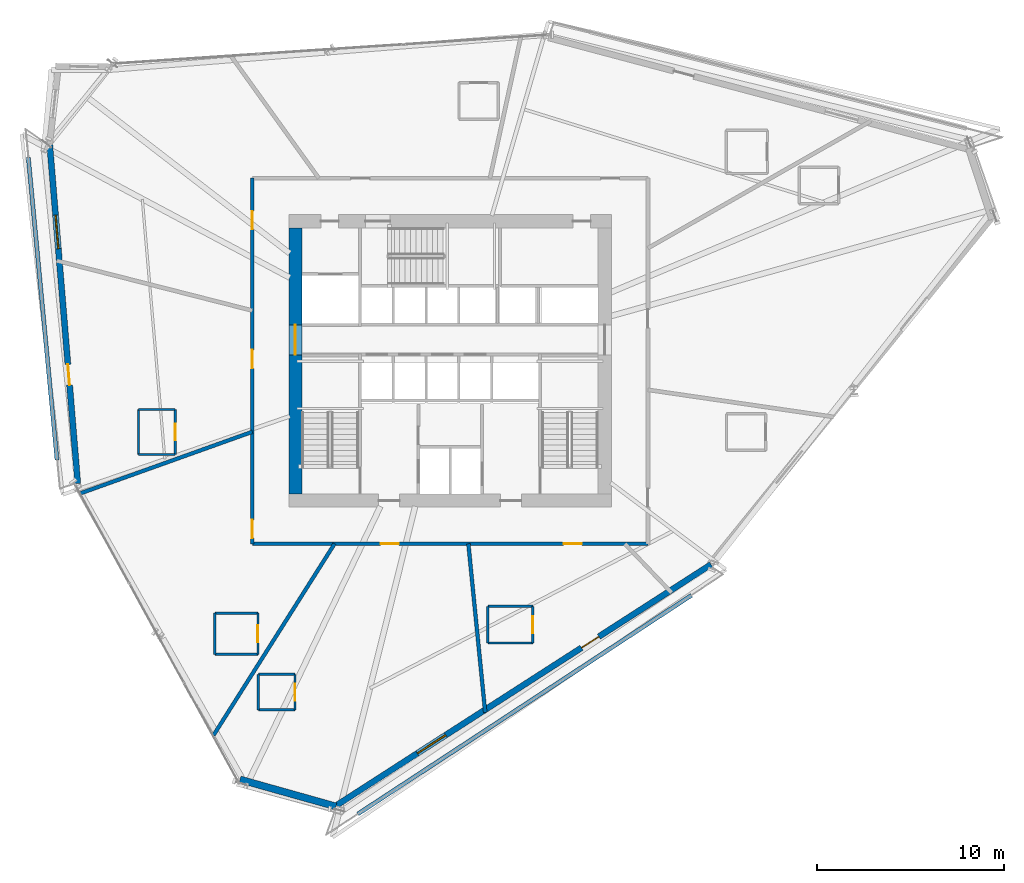
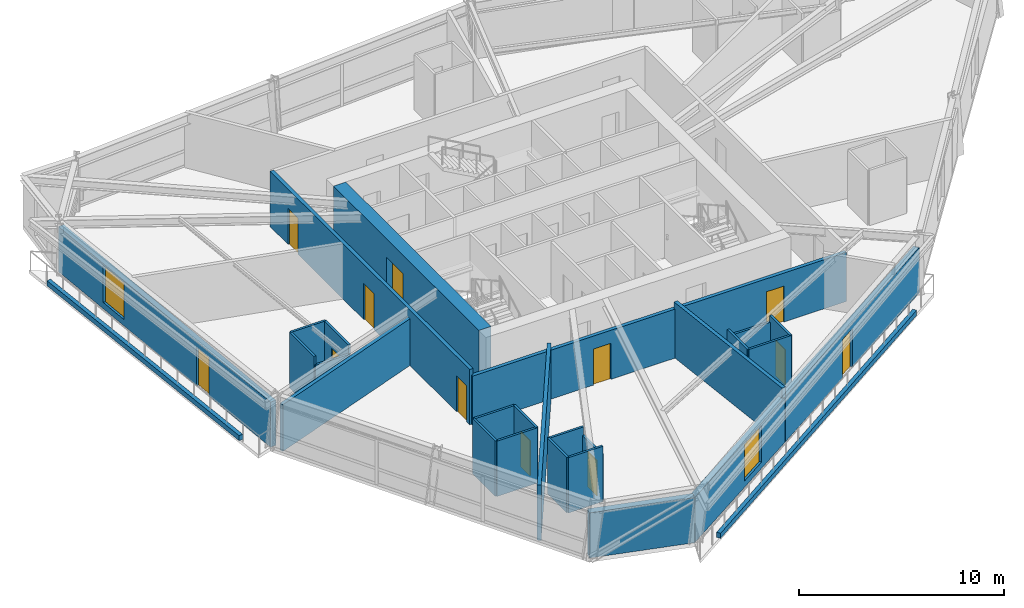
# One storey, part 14 of 21: 27 walls, 12 doors, 2 windows, 14 openings.
"""IFC4 building model written with IfcOpenShell, lengths in metres."""

import ifcopenshell
import ifcopenshell.guid

model = None  # the IFC model being written
_history = None  # IfcOwnerHistory: only IFC2X3 demands one
_inside = {}  # id of a spatial element -> (the spatial element, [elements in it])
_under = {}  # id of a project, library or spatial element -> (it, [spatial elements below it])
_declared = {}  # id of a project -> (the project, [libraries it declares])
_typed = {}  # id of a type object -> (the type object, [elements of that type])
_made_of = {}  # id of a material, layer set ... -> (it, [elements and type objects made of it])


def new_model(schema):
    """Start an empty IFC model of exactly this schema.

    Asked for "IFC4X3", IfcOpenShell would pick the latest addendum, in which some entities
    have other attributes; the version numbers below select the first issue.
    IFC2X3 requires an IfcOwnerHistory on every rooted entity: one is made here for all.
    """
    global model, _history
    if schema == "IFC4X3":
        model = ifcopenshell.file(schema_version=(4, 3, 0, 0))
    else:
        model = ifcopenshell.file(schema=schema)
    _inside.clear()
    _under.clear()
    _declared.clear()
    _typed.clear()
    _made_of.clear()
    _history = None
    if model.schema == "IFC2X3":
        org = make("IfcOrganization", Name="unknown")
        user = make(
            "IfcPersonAndOrganization",
            ThePerson=make("IfcPerson", FamilyName="unknown"),
            TheOrganization=org,
        )
        app = make(
            "IfcApplication",
            ApplicationDeveloper=org,
            Version="unknown",
            ApplicationFullName="unknown",
            ApplicationIdentifier="unknown",
        )
        _history = make(
            "IfcOwnerHistory",
            OwningUser=user,
            OwningApplication=app,
            ChangeAction="ADDED",
            CreationDate=0,
        )
    return model


def make(cls, **values):
    """One entity of the class cls with the attributes given. An attribute that is None is left unset."""
    return model.create_entity(
        cls, **{name: value for name, value in values.items() if value is not None}
    )


def rooted(cls, **values):
    """An entity with a GlobalId (a new one), such as an element, a storey or a relation."""
    return make(cls, GlobalId=ifcopenshell.guid.new(), OwnerHistory=_history, **values)


def si_unit(unit_type, name, prefix=None):
    """IfcSIUnit, for example si_unit("LENGTHUNIT", "METRE", prefix="MILLI")."""
    return make("IfcSIUnit", UnitType=unit_type, Prefix=prefix, Name=name)


def assignment(units):
    """IfcUnitAssignment: the units of a project."""
    return None if units is None else make("IfcUnitAssignment", Units=units)


def point(xyz):
    """IfcCartesianPoint."""
    return None if xyz is None else make("IfcCartesianPoint", Coordinates=xyz)


def direction(xyz):
    """IfcDirection."""
    return None if xyz is None else make("IfcDirection", DirectionRatios=xyz)


def frame(location, z_axis=None, x_axis=None):
    """IfcAxis2Placement3D, a coordinate frame: its origin and axes. An axis left out is left unset."""
    return make(
        "IfcAxis2Placement3D",
        Location=point(location),
        Axis=direction(z_axis),
        RefDirection=direction(x_axis),
    )


def frame_2d(location, x_axis=None):
    """IfcAxis2Placement2D, a coordinate frame in the plane: its origin and x axis."""
    return make(
        "IfcAxis2Placement2D", Location=point(location), RefDirection=direction(x_axis)
    )


def origin():
    """The frame at (0, 0, 0) with its axes left unset."""
    return frame((0.0, 0.0, 0.0))


def place(relative_to, where):
    """IfcLocalPlacement: puts the frame where relative to a parent placement (None: the world)."""
    return make(
        "IfcLocalPlacement", PlacementRelTo=relative_to, RelativePlacement=where
    )


def context(
    kind, dimensions, precision=None, world=None, true_north=None, identifier=None
):
    """IfcGeometricRepresentationContext, for example the 3D "Model" context."""
    return make(
        "IfcGeometricRepresentationContext",
        ContextIdentifier=identifier,
        ContextType=kind,
        CoordinateSpaceDimension=dimensions,
        Precision=precision,
        WorldCoordinateSystem=world,
        TrueNorth=true_north,
    )


def subcontext(parent, identifier, kind, view, scale=None):
    """IfcGeometricRepresentationSubContext, for example "Body" below "Model"."""
    return make(
        "IfcGeometricRepresentationSubContext",
        ContextIdentifier=identifier,
        ContextType=kind,
        ParentContext=parent,
        TargetScale=scale,
        TargetView=view,
    )


def project(units=None, contexts=None):
    """IfcProject with its units and contexts."""
    return rooted(
        "IfcProject",
        Name="project",
        RepresentationContexts=contexts,
        UnitsInContext=assignment(units),
    )


def spatial(cls, under=None, at=None, **own):
    """A site, building, storey or space (cls), placed at a placement, below another one or the project."""
    s = rooted(cls, ObjectPlacement=at, **own)
    if under is not None:
        _under.setdefault(under.id(), (under, []))[1].append(s)
    return s


def profile(cls, at=None, kind="AREA", **sizes):
    """A parametric profile (cls). Its sizes go by their IFC names, for example OverallWidth=200.0."""
    return make(cls, ProfileType=kind, Position=at, **sizes)


def rectangle(**sizes):
    """IfcRectangleProfileDef."""
    return profile("IfcRectangleProfileDef", **sizes)


def extrude(swept, where, along, depth):
    """IfcExtrudedAreaSolid: the profile swept, set in the frame where, extruded along a direction by depth."""
    return make(
        "IfcExtrudedAreaSolid",
        SweptArea=swept,
        Position=where,
        ExtrudedDirection=direction(along),
        Depth=depth,
    )


def shape(context_of_items, identifier, shape_type, items):
    """IfcShapeRepresentation: the items that make up one representation, for example the "Body"."""
    return make(
        "IfcShapeRepresentation",
        ContextOfItems=context_of_items,
        RepresentationIdentifier=identifier,
        RepresentationType=shape_type,
        Items=items,
    )


def source(mapping_origin, context_of_items, identifier, shape_type, items):
    """IfcRepresentationMap: a shape defined once, which mapped items show again and again."""
    return make(
        "IfcRepresentationMap",
        MappingOrigin=mapping_origin,
        MappedRepresentation=shape(context_of_items, identifier, shape_type, items),
    )


def transform(
    local_origin,
    x_axis=None,
    y_axis=None,
    z_axis=None,
    scale=None,
    scale2=None,
    scale3=None,
    uniform=True,
):
    """IfcCartesianTransformationOperator3D, or its non-uniform kind. x_axis, y_axis, z_axis: its Axis1, 2, 3."""
    if uniform:
        return make(
            "IfcCartesianTransformationOperator3D",
            Axis1=direction(x_axis),
            Axis2=direction(y_axis),
            LocalOrigin=point(local_origin),
            Scale=scale,
            Axis3=direction(z_axis),
        )
    return make(
        "IfcCartesianTransformationOperator3DnonUniform",
        Axis1=direction(x_axis),
        Axis2=direction(y_axis),
        LocalOrigin=point(local_origin),
        Scale=scale,
        Axis3=direction(z_axis),
        Scale2=scale2,
        Scale3=scale3,
    )


def mapped(mapping_source, mapping_target):
    """IfcMappedItem: shows the shape of a source again, moved by a transform."""
    return make(
        "IfcMappedItem", MappingSource=mapping_source, MappingTarget=mapping_target
    )


def material(Name=None, Category=None):
    """IfcMaterial."""
    return make("IfcMaterial", Name=Name, Category=Category)


def layer(
    of_material, thickness, ventilated=None, Name=None, Category=None, Priority=None
):
    """IfcMaterialLayer: one layer of a wall or slab, of a material (None: an air gap)."""
    return make(
        "IfcMaterialLayer",
        Material=of_material,
        LayerThickness=thickness,
        IsVentilated=ventilated,
        Name=Name,
        Category=Category,
        Priority=Priority,
    )


def layer_set(layers, Name=None):
    """IfcMaterialLayerSet."""
    return make("IfcMaterialLayerSet", MaterialLayers=layers, LayerSetName=Name)


def made_of(thing, what):
    """Note that an element or type object is made of a material, layer set ...; save() writes the relation."""
    if what is not None:
        _made_of.setdefault(what.id(), (what, []))[1].append(thing)
    return thing


def type_object(cls, material=None, **own):
    """A type object (cls), such as IfcWallType, which elements share."""
    return made_of(rooted(cls, **own), material)


def type_shapes(of_type, sources):
    """Give a type object the sources (RepresentationMaps) that its elements show as mapped items."""
    of_type.RepresentationMaps = sources


def element(
    cls,
    number,
    at=None,
    inside=None,
    cuts=None,
    type_object=None,
    material=None,
    context=None,
    identifier="Body",
    shape_type=None,
    held_by="IfcProductDefinitionShape",
    body=None,
    shapes=None,
    **own,
):
    """One element of the class cls, such as IfcWall. Its Tag is "e" and its number.

    at: its placement. inside: the storey or other place that contains it. cuts: it is an
    opening in that element (IfcRelVoidsElement). A single representation is given by context,
    identifier, shape_type and body (its items); several are given by shapes. held_by: the class
    of the entity that holds the representations. save() writes the other relations.
    """
    e = rooted(cls, Tag="e%d" % number, ObjectPlacement=at, **own)
    if body is not None:
        shapes = [shape(context, identifier, shape_type, body)]
    if shapes is not None:
        e.Representation = make(held_by, Representations=shapes)
    if inside is not None:
        _inside.setdefault(inside.id(), (inside, []))[1].append(e)
    if cuts is not None:
        rooted(
            "IfcRelVoidsElement", RelatingBuildingElement=cuts, RelatedOpeningElement=e
        )
    if type_object is not None:
        _typed.setdefault(type_object.id(), (type_object, []))[1].append(e)
    return made_of(e, material)


def fill(opening, filler):
    """IfcRelFillsElement: the door or window that sits in an opening."""
    return rooted(
        "IfcRelFillsElement",
        RelatingOpeningElement=opening,
        RelatedBuildingElement=filler,
    )


def aggregate(whole, parts):
    """IfcRelAggregates: a whole, such as a stair, and the parts it consists of."""
    return rooted("IfcRelAggregates", RelatingObject=whole, RelatedObjects=parts)


def save(model, path):
    """Write the relations noted so far, then the file.

    IfcRelAggregates (storeys below a building ...), IfcRelContainedInSpatialStructure (elements
    in a storey), IfcRelDefinesByType, IfcRelAssociatesMaterial and IfcRelDeclares: one each for
    every whole, place, type object, material and project.
    """
    for whole, parts in _under.values():
        aggregate(whole, parts)
    for where, things in _inside.values():
        rooted(
            "IfcRelContainedInSpatialStructure",
            RelatedElements=things,
            RelatingStructure=where,
        )
    for kind, things in _typed.values():
        rooted("IfcRelDefinesByType", RelatedObjects=things, RelatingType=kind)
    for what, things in _made_of.values():
        rooted("IfcRelAssociatesMaterial", RelatedObjects=things, RelatingMaterial=what)
    for by, libraries in _declared.values():
        rooted("IfcRelDeclares", RelatingContext=by, RelatedDefinitions=libraries)
    model.write(path)


model = new_model("IFC4")

# Units and contexts
model_context = context("Model", 3, precision=1e-05, world=origin(), true_north=direction((0.0, 1.0)))
body_context = subcontext(model_context, "Body", "Model", "MODEL_VIEW")
ifc_project = project(units=[si_unit("LENGTHUNIT", "METRE"), si_unit("AREAUNIT", "SQUARE_METRE"), si_unit("VOLUMEUNIT", "CUBIC_METRE"), si_unit("PLANEANGLEUNIT", "RADIAN"), si_unit("MASSUNIT", "GRAM", prefix="KILO")], contexts=[model_context])

# Site, building, storey
site_placement = place(None, origin())
site = spatial("IfcSite", under=ifc_project, at=site_placement, CompositionType="ELEMENT")
building_placement = place(site_placement, origin())
building = spatial("IfcBuilding", under=site, at=building_placement, Name="Olszyna Solenne Hotel", CompositionType="ELEMENT")
storey_placement = place(building_placement, frame((0.0, 0.0, 109.25)))
storey = spatial("IfcBuildingStorey", under=building, at=storey_placement, Name="L28", CompositionType="ELEMENT", Elevation=109.25)

# Wall, opening, door
ifc_material_1 = material(Name="Concrete C60/75", Category="concrete")
ifc_layer_1 = layer(ifc_material_1, 0.699951171875, Name="Concrete C60/75")
ifc_layer_set_1 = layer_set([ifc_layer_1], Name="Concrete C60/75")
wall_type_1 = type_object("IfcWallType", Name="WL-CR700", PredefinedType="SHEAR", material=ifc_layer_set_1)
wall_1_placement = place(storey_placement, frame((29.75, 19.5, 0.0), z_axis=(0.0, 0.0, 1.0), x_axis=(0.0, 1.0, 0.0)))
wall_1 = element("IfcWall", 1, at=wall_1_placement, inside=storey, type_object=wall_type_1, Name="Core shear wall WL-CR700 CRW-L28-W", PredefinedType="SHEAR", context=body_context, shape_type="SweptSolid", body=[
    extrude(rectangle(XDim=14.199951171875, YDim=0.699951171875, at=frame_2d((7.10009765625, 0.0))), origin(), (0.0, 0.0, 1.0), 3.300048828125),
])
opening_1_placement = place(wall_1_placement, frame((7.419921875, 0.0, 0.0)))
opening_1 = element("IfcOpeningElement", 2, at=opening_1_placement, cuts=wall_1, Name="Opening LHD-L28-W", PredefinedType="OPENING", context=body_context, shape_type="SweptSolid", body=[
    extrude(rectangle(XDim=1.60009765625, YDim=2.199951171875, at=frame_2d((0.800048828125, 1.10009765625))), frame((0.0, 0.35986328125, 0.0), z_axis=(0.0, -1.0, 0.0), x_axis=(1.0, 0.0, 0.0)), (0.0, 0.0, 1.0), 0.719970703125),
])
ifc_material_2 = material(Name="Timber hardwood", Category="wood")
door_type_1 = type_object("IfcDoorType", Name="DR-CR1", OperationType="DOUBLE_DOOR_SINGLE_SWING", PredefinedType="DOOR", material=ifc_material_2)
shared_shape_1 = source(origin(), body_context, "Body", "SweptSolid", [
    extrude(rectangle(XDim=1.60009765625, YDim=2.199951171875, at=frame_2d((0.800048828125, 1.10009765625))), frame((0.0, 0.02490234375, 0.0), z_axis=(0.0, -1.0, 0.0), x_axis=(1.0, 0.0, 0.0)), (0.0, 0.0, 1.0), 0.050048828125),
])
type_shapes(door_type_1, [shared_shape_1])
door_1_placement = place(opening_1_placement, origin())
door_1 = element("IfcDoor", 3, at=door_1_placement, inside=storey, type_object=door_type_1, Name="Passenger lift lobby West fire door LHD-L28-W", OperationType="DOUBLE_DOOR_SINGLE_SWING", OverallHeight=2.199951171875, OverallWidth=1.60009765625, PredefinedType="DOOR", context=body_context, shape_type="MappedRepresentation", body=[
    mapped(shared_shape_1, transform((0.0, 0.0, 0.0), x_axis=(1.0, 0.0, 0.0), y_axis=(0.0, 1.0, 0.0), z_axis=(0.0, 0.0, 1.0), scale=1.0)),
])
fill(opening_1, door_1)

# Wall, openings, door, window
ifc_material_3 = material(Name="Precast concrete C45/55", Category="concrete")
ifc_layer_2 = layer(ifc_material_3, 0.320068359375, Name="Precast concrete C45/55")
ifc_layer_set_2 = layer_set([ifc_layer_2], Name="Precast concrete C45/55")
wall_type_2 = type_object("IfcWallType", Name="WL-EX320", PredefinedType="SOLIDWALL", material=ifc_layer_set_2)
wall_2_placement = place(storey_placement, frame((51.9169921875, 15.745849609375, 0.0), z_axis=(0.0, 0.0, 1.0), x_axis=(-0.841105279502, -0.540871434626, 0.0)))
wall_2 = element("IfcWall", 4, at=wall_2_placement, inside=storey, type_object=wall_type_2, Name="Exterior terracotta-precast frame wall WL-EX320 EW-L28-01", PredefinedType="SOLIDWALL", context=body_context, shape_type="SweptSolid", body=[
    extrude(rectangle(XDim=23.95263671875, YDim=0.320068359375, at=frame_2d((11.976318359375, 0.0))), origin(), (0.0, 0.0, 1.0), 2.69189453125),
])
opening_2_placement = place(wall_2_placement, frame((7.114990234375, 0.0, 0.0)))
opening_2 = element("IfcOpeningElement", 5, at=opening_2_placement, cuts=wall_2, Name="Opening LDG-L28-3", PredefinedType="OPENING", context=body_context, shape_type="SweptSolid", body=[
    extrude(rectangle(XDim=1.10009765625, YDim=2.300048828125, at=frame_2d((0.550048828125, 1.14990234375))), frame((0.0, 0.169921875, 0.0), z_axis=(0.0, -1.0, 0.0), x_axis=(1.0, 0.0, 0.0)), (0.0, 0.0, 1.0), 0.340087890625),
])
opening_3_placement = place(wall_2_placement, frame((16.824951171875, 0.0, 0.3720703125)))
opening_3 = element("IfcOpeningElement", 6, at=opening_3_placement, cuts=wall_2, Name="Opening WN-L28-154", PredefinedType="OPENING", context=body_context, shape_type="SweptSolid", body=[
    extrude(rectangle(XDim=1.800048828125, YDim=2.199951171875, at=frame_2d((0.89990234375, 1.10009765625))), frame((0.0, 0.169921875, 0.0), z_axis=(0.0, -1.0, 0.0), x_axis=(1.0, 0.0, 0.0)), (0.0, 0.0, 1.0), 0.340087890625),
])
ifc_material_4 = material(Name="Anodised bronze aluminium", Category="aluminium")
door_type_2 = type_object("IfcDoorType", Name="DR-LG1", OperationType="NOTDEFINED", PredefinedType="DOOR", material=ifc_material_4)
shared_shape_2 = source(origin(), body_context, "Body", "SweptSolid", [
    extrude(rectangle(XDim=1.10009765625, YDim=2.300048828125, at=frame_2d((0.550048828125, 1.14990234375))), frame((0.0, 0.02490234375, 0.0), z_axis=(0.0, -1.0, 0.0), x_axis=(1.0, 0.0, 0.0)), (0.0, 0.0, 1.0), 0.050048828125),
])
type_shapes(door_type_2, [shared_shape_2])
door_2_placement = place(opening_2_placement, origin())
door_2 = element("IfcDoor", 7, at=door_2_placement, inside=storey, type_object=door_type_2, Name="Exterior loggia balcony door DR-LG1 LDG-L28-3", OperationType="SINGLE_SWING_RIGHT", OverallHeight=2.300048828125, OverallWidth=1.10009765625, PredefinedType="DOOR", context=body_context, shape_type="MappedRepresentation", body=[
    mapped(shared_shape_2, transform((0.0, 0.0, 0.0), x_axis=(1.0, 0.0, 0.0), y_axis=(0.0, 1.0, 0.0), z_axis=(0.0, 0.0, 1.0), scale=1.0)),
])
fill(opening_2, door_2)
ifc_material_5 = material(Name="Low-E triple glazing", Category="glass")
window_type = type_object("IfcWindowType", Name="WN-HT1", PartitioningType="SINGLE_PANEL", PredefinedType="WINDOW", material=ifc_material_5)
shared_shape_3 = source(origin(), body_context, "Body", "SweptSolid", [
    extrude(rectangle(XDim=1.800048828125, YDim=2.199951171875, at=frame_2d((0.89990234375, 1.10009765625))), frame((0.0, 0.030029296875, 0.0), z_axis=(0.0, -1.0, 0.0), x_axis=(1.0, 0.0, 0.0)), (0.0, 0.0, 1.0), 0.06005859375),
])
type_shapes(window_type, [shared_shape_3])
window_1_placement = place(opening_3_placement, origin())
window_1 = element("IfcWindow", 8, at=window_1_placement, inside=storey, type_object=window_type, Name="Loggia room window WN-HT1 WN-L28-154", OverallHeight=2.199951171875, OverallWidth=1.800048828125, PartitioningType="SINGLE_PANEL", PredefinedType="WINDOW", context=body_context, shape_type="MappedRepresentation", body=[
    mapped(shared_shape_3, transform((0.0, 0.0, 0.0), x_axis=(1.0, 0.0, 0.0), y_axis=(0.0, 1.0, 0.0), z_axis=(0.0, 0.0, 1.0), scale=1.0)),
])
fill(opening_3, window_1)

wall_3_placement = place(storey_placement, frame((18.139404296875, 20.0615234375, 0.0), z_axis=(0.0, 0.0, 1.0), x_axis=(-0.082462696948, 0.996594151905, 0.0)))
wall_3 = element("IfcWall", 9, at=wall_3_placement, inside=storey, type_object=wall_type_2, Name="Exterior terracotta-precast frame wall WL-EX320 EW-L28-04", PredefinedType="SOLIDWALL", context=body_context, shape_type="SweptSolid", body=[
    extrude(rectangle(XDim=18.201904296875, YDim=0.320068359375, at=frame_2d((9.10107421875, 0.0))), origin(), (0.0, 0.0, 1.0), 2.69189453125),
])
opening_4_placement = place(wall_3_placement, frame((5.27490234375, 0.0, 0.0)))
opening_4 = element("IfcOpeningElement", 10, at=opening_4_placement, cuts=wall_3, Name="Opening LDG-L28-2", PredefinedType="OPENING", context=body_context, shape_type="SweptSolid", body=[
    extrude(rectangle(XDim=1.10009765625, YDim=2.300048828125, at=frame_2d((0.550048828125, 1.14990234375))), frame((0.0, 0.169921875, 0.0), z_axis=(0.0, -1.0, 0.0), x_axis=(1.0, 0.0, 0.0)), (0.0, 0.0, 1.0), 0.340087890625),
])
opening_5_placement = place(wall_3_placement, frame((12.569091796875, 0.0, 0.3720703125)))
opening_5 = element("IfcOpeningElement", 11, at=opening_5_placement, cuts=wall_3, Name="Opening WN-L28-155", PredefinedType="OPENING", context=body_context, shape_type="SweptSolid", body=[
    extrude(rectangle(XDim=1.800048828125, YDim=2.199951171875, at=frame_2d((0.89990234375, 1.10009765625))), frame((0.0, 0.169921875, 0.0), z_axis=(0.0, -1.0, 0.0), x_axis=(1.0, 0.0, 0.0)), (0.0, 0.0, 1.0), 0.340087890625),
])
door_3_placement = place(opening_4_placement, origin())
door_3 = element("IfcDoor", 12, at=door_3_placement, inside=storey, type_object=door_type_2, Name="Exterior loggia balcony door DR-LG1 LDG-L28-2", OperationType="SINGLE_SWING_LEFT", OverallHeight=2.300048828125, OverallWidth=1.10009765625, PredefinedType="DOOR", context=body_context, shape_type="MappedRepresentation", body=[
    mapped(shared_shape_2, transform((0.0, 0.0, 0.0), x_axis=(1.0, 0.0, 0.0), y_axis=(0.0, 1.0, 0.0), z_axis=(0.0, 0.0, 1.0), scale=1.0)),
])
fill(opening_4, door_3)
window_2_placement = place(opening_5_placement, origin())
window_2 = element("IfcWindow", 13, at=window_2_placement, inside=storey, type_object=window_type, Name="Loggia room window WN-HT1 WN-L28-155", OverallHeight=2.199951171875, OverallWidth=1.800048828125, PartitioningType="SINGLE_PANEL", PredefinedType="WINDOW", context=body_context, shape_type="MappedRepresentation", body=[
    mapped(shared_shape_3, transform((0.0, 0.0, 0.0), x_axis=(1.0, 0.0, 0.0), y_axis=(0.0, 1.0, 0.0), z_axis=(0.0, 0.0, 1.0), scale=1.0)),
])
fill(opening_5, window_2)

# Walls
ifc_material_6 = material(Name="Terracotta cladding on precast concrete C45/55", Category="masonry")
ifc_layer_3 = layer(ifc_material_6, 0.3798828125, Name="Terracotta cladding on precast concrete C45/55")
ifc_layer_set_3 = layer_set([ifc_layer_3], Name="Terracotta cladding on precast concrete C45/55")
wall_type_3 = type_object("IfcWallType", Name="WL-EX380", PredefinedType="SOLIDWALL", material=ifc_layer_set_3)
wall_4_placement = place(storey_placement, frame((31.908203125, 2.8388671875, 0.0), z_axis=(0.0, 0.0, 1.0), x_axis=(-0.962702562439, 0.270561963835, 0.0)))
element("IfcWall", 14, at=wall_4_placement, inside=storey, type_object=wall_type_3, Name="Exterior terracotta-precast frame wall WL-EX380 EW-L28-02", PredefinedType="SOLIDWALL", context=body_context, shape_type="SweptSolid", body=[
    extrude(rectangle(XDim=5.31396484375, YDim=0.3798828125, at=frame_2d((2.656982421875, 0.0))), origin(), (0.0, 0.0, 1.0), 2.69189453125),
])
ifc_layer_4 = layer(ifc_material_3, 0.219970703125, Name="Precast concrete C45/55")
ifc_layer_set_4 = layer_set([ifc_layer_4], Name="Precast concrete C45/55")
wall_type_4 = type_object("IfcWallType", Name="WL-PR220", PredefinedType="PARAPET", material=ifc_layer_set_4)
wall_5_placement = place(storey_placement, frame((15.5009765625, 37.451416015625, 0.0), z_axis=(0.0, 0.0, 1.0), x_axis=(0.094440121339, -0.995530543721, 0.0)))
element("IfcWall", 15, at=wall_5_placement, inside=storey, type_object=wall_type_4, Name="Loggia balcony precast kerb PR-L28-LG2", PredefinedType="PARAPET", context=body_context, shape_type="SweptSolid", body=[
    extrude(rectangle(XDim=16.206298828125, YDim=0.219970703125, at=frame_2d((8.10302734375, 0.0))), origin(), (0.0, 0.0, 1.0), 0.300048828125),
])
wall_6_placement = place(storey_placement, frame((33.0703125, 2.432861328125, 0.0), z_axis=(0.0, 0.0, 1.0), x_axis=(0.836347057306, 0.548200328106, 0.0)))
element("IfcWall", 16, at=wall_6_placement, inside=storey, type_object=wall_type_4, Name="Loggia balcony precast kerb PR-L28-LG3", PredefinedType="PARAPET", context=body_context, shape_type="SweptSolid", body=[
    extrude(rectangle(XDim=21.28271484375, YDim=0.219970703125, at=frame_2d((10.641357421875, 0.0))), origin(), (0.0, 0.0, 1.0), 0.300048828125),
])

# Wall, opening, door
ifc_material_7 = material(Name="Acoustic gypsum partition", Category="gypsum")
ifc_layer_5 = layer(ifc_material_7, 0.125, Name="Acoustic gypsum partition")
ifc_layer_set_5 = layer_set([ifc_layer_5], Name="Acoustic gypsum partition")
wall_type_5 = type_object("IfcWallType", Name="WL-PT125", PredefinedType="PARTITIONING", material=ifc_layer_set_5)
wall_7_placement = place(storey_placement, frame((27.75, 10.952880859375, 0.0), z_axis=(0.0, 0.0, 1.0), x_axis=(0.0, 1.0, 0.0)))
wall_7 = element("IfcWall", 17, at=wall_7_placement, inside=storey, type_object=wall_type_5, Name="Interior acoustic partition WL-PT125 PW-L28-1626", PredefinedType="PARTITIONING", context=body_context, shape_type="SweptSolid", body=[
    extrude(rectangle(XDim=2.2001953125, YDim=0.125, at=frame_2d((1.10009765625, 0.0))), origin(), (0.0, 0.0, 1.0), 3.300048828125),
])
opening_6_placement = place(wall_7_placement, frame((0.64990234375, 0.0, 0.0)))
opening_6 = element("IfcOpeningElement", 18, at=opening_6_placement, cuts=wall_7, Name="Opening DR-L28-0383", PredefinedType="OPENING", context=body_context, shape_type="SweptSolid", body=[
    extrude(rectangle(XDim=0.89990234375, YDim=2.10009765625, at=frame_2d((0.449951171875, 1.050048828125))), frame((0.0, 0.072509765625, 0.0), z_axis=(0.0, -1.0, 0.0), x_axis=(1.0, 0.0, 0.0)), (0.0, 0.0, 1.0), 0.14501953125),
])
door_type_3 = type_object("IfcDoorType", Name="DR-WC1", OperationType="NOTDEFINED", PredefinedType="DOOR", material=ifc_material_2)
shared_shape_4 = source(origin(), body_context, "Body", "SweptSolid", [
    extrude(rectangle(XDim=0.89990234375, YDim=2.10009765625, at=frame_2d((0.449951171875, 1.050048828125))), frame((0.0, 0.02490234375, 0.0), z_axis=(0.0, -1.0, 0.0), x_axis=(1.0, 0.0, 0.0)), (0.0, 0.0, 1.0), 0.050048828125),
])
type_shapes(door_type_3, [shared_shape_4])
door_4_placement = place(opening_6_placement, origin())
door_4 = element("IfcDoor", 19, at=door_4_placement, inside=storey, type_object=door_type_3, Name="En-Suite Bathroom Door DR-L28-0383", OperationType="SINGLE_SWING_LEFT", OverallHeight=2.10009765625, OverallWidth=0.89990234375, PredefinedType="DOOR", context=body_context, shape_type="MappedRepresentation", body=[
    mapped(shared_shape_4, transform((0.0, 0.0, 0.0), x_axis=(1.0, 0.0, 0.0), y_axis=(0.0, 1.0, 0.0), z_axis=(0.0, 0.0, 1.0), scale=1.0)),
])
fill(opening_6, door_4)

# Walls
wall_8_placement = place(storey_placement, frame((27.75, 13.153076171875, 0.0), z_axis=(0.0, 0.0, 1.0), x_axis=(-1.0, 0.0, 0.0)))
element("IfcWall", 20, at=wall_8_placement, inside=storey, type_object=wall_type_5, Name="Interior acoustic partition WL-PT125 PW-L28-1627", PredefinedType="PARTITIONING", context=body_context, shape_type="SweptSolid", body=[
    extrude(rectangle(XDim=2.300048828125, YDim=0.125, at=frame_2d((1.14990234375, 0.0))), origin(), (0.0, 0.0, 1.0), 3.300048828125),
])
wall_9_placement = place(storey_placement, frame((25.449951171875, 13.153076171875, 0.0), z_axis=(0.0, 0.0, 1.0), x_axis=(0.0, -1.0, 0.0)))
element("IfcWall", 21, at=wall_9_placement, inside=storey, type_object=wall_type_5, Name="Interior acoustic partition WL-PT125 PW-L28-1628", PredefinedType="PARTITIONING", context=body_context, shape_type="SweptSolid", body=[
    extrude(rectangle(XDim=2.2001953125, YDim=0.125, at=frame_2d((1.10009765625, 0.0))), origin(), (0.0, 0.0, 1.0), 3.300048828125),
])
wall_10_placement = place(storey_placement, frame((25.449951171875, 10.952880859375, 0.0), z_axis=(0.0, 0.0, 1.0), x_axis=(1.0, 0.0, 0.0)))
element("IfcWall", 22, at=wall_10_placement, inside=storey, type_object=wall_type_5, Name="Interior acoustic partition WL-PT125 PW-L28-1629", PredefinedType="PARTITIONING", context=body_context, shape_type="SweptSolid", body=[
    extrude(rectangle(XDim=2.300048828125, YDim=0.125, at=frame_2d((1.14990234375, 0.0))), origin(), (0.0, 0.0, 1.0), 3.300048828125),
])

# Wall, opening, door
wall_11_placement = place(storey_placement, frame((29.72509765625, 7.990966796875, 0.0), z_axis=(0.0, 0.0, 1.0), x_axis=(0.0, 1.0, 0.0)))
wall_11 = element("IfcWall", 23, at=wall_11_placement, inside=storey, type_object=wall_type_5, Name="Interior acoustic partition WL-PT125 PW-L28-1630", PredefinedType="PARTITIONING", context=body_context, shape_type="SweptSolid", body=[
    extrude(rectangle(XDim=1.900146484375, YDim=0.125, at=frame_2d((0.9501953125, 0.0))), origin(), (0.0, 0.0, 1.0), 2.794921875),
])
opening_7_placement = place(wall_11_placement, frame((0.5, 0.0, 0.0)))
opening_7 = element("IfcOpeningElement", 24, at=opening_7_placement, cuts=wall_11, Name="Opening DR-L28-0384", PredefinedType="OPENING", context=body_context, shape_type="SweptSolid", body=[
    extrude(rectangle(XDim=0.89990234375, YDim=2.10009765625, at=frame_2d((0.449951171875, 1.050048828125))), frame((0.0, 0.072509765625, 0.0), z_axis=(0.0, -1.0, 0.0), x_axis=(1.0, 0.0, 0.0)), (0.0, 0.0, 1.0), 0.14501953125),
])
door_5_placement = place(opening_7_placement, origin())
door_5 = element("IfcDoor", 25, at=door_5_placement, inside=storey, type_object=door_type_3, Name="En-Suite Bathroom Door DR-L28-0384", OperationType="SINGLE_SWING_LEFT", OverallHeight=2.10009765625, OverallWidth=0.89990234375, PredefinedType="DOOR", context=body_context, shape_type="MappedRepresentation", body=[
    mapped(shared_shape_4, transform((0.0, 0.0, 0.0), x_axis=(1.0, 0.0, 0.0), y_axis=(0.0, 1.0, 0.0), z_axis=(0.0, 0.0, 1.0), scale=1.0)),
])
fill(opening_7, door_5)

# Walls
wall_12_placement = place(storey_placement, frame((29.72509765625, 9.89111328125, 0.0), z_axis=(0.0, 0.0, 1.0), x_axis=(-1.0, 0.0, 0.0)))
element("IfcWall", 26, at=wall_12_placement, inside=storey, type_object=wall_type_5, Name="Interior acoustic partition WL-PT125 PW-L28-1631", PredefinedType="PARTITIONING", context=body_context, shape_type="SweptSolid", body=[
    extrude(rectangle(XDim=1.9501953125, YDim=0.125, at=frame_2d((0.97509765625, 0.0))), origin(), (0.0, 0.0, 1.0), 3.300048828125),
])
wall_13_placement = place(storey_placement, frame((27.77490234375, 9.89111328125, 0.0), z_axis=(0.0, 0.0, 1.0), x_axis=(0.0, -1.0, 0.0)))
element("IfcWall", 27, at=wall_13_placement, inside=storey, type_object=wall_type_5, Name="Interior acoustic partition WL-PT125 PW-L28-1632", PredefinedType="PARTITIONING", context=body_context, shape_type="SweptSolid", body=[
    extrude(rectangle(XDim=1.900146484375, YDim=0.125, at=frame_2d((0.9501953125, 0.0))), origin(), (0.0, 0.0, 1.0), 3.300048828125),
])
wall_14_placement = place(storey_placement, frame((27.77490234375, 7.990966796875, 0.0), z_axis=(0.0, 0.0, 1.0), x_axis=(1.0, 0.0, 0.0)))
element("IfcWall", 28, at=wall_14_placement, inside=storey, type_object=wall_type_5, Name="Interior acoustic partition WL-PT125 PW-L28-1633", PredefinedType="PARTITIONING", context=body_context, shape_type="SweptSolid", body=[
    extrude(rectangle(XDim=1.9501953125, YDim=0.125, at=frame_2d((0.97509765625, 0.0))), origin(), (0.0, 0.0, 1.0), 3.300048828125),
])

# Wall, opening, door
wall_15_placement = place(storey_placement, frame((42.407958984375, 11.56103515625, 0.0), z_axis=(0.0, 0.0, 1.0), x_axis=(0.0, 1.0, 0.0)))
wall_15 = element("IfcWall", 29, at=wall_15_placement, inside=storey, type_object=wall_type_5, Name="Interior acoustic partition WL-PT125 PW-L28-1634", PredefinedType="PARTITIONING", context=body_context, shape_type="SweptSolid", body=[
    extrude(rectangle(XDim=1.949951171875, YDim=0.125, at=frame_2d((0.97509765625, 0.0))), origin(), (0.0, 0.0, 1.0), 3.300048828125),
])
opening_8_placement = place(wall_15_placement, frame((0.52490234375, 0.0, 0.0)))
opening_8 = element("IfcOpeningElement", 30, at=opening_8_placement, cuts=wall_15, Name="Opening DR-L28-0385", PredefinedType="OPENING", context=body_context, shape_type="SweptSolid", body=[
    extrude(rectangle(XDim=0.89990234375, YDim=2.10009765625, at=frame_2d((0.449951171875, 1.050048828125))), frame((0.0, 0.072509765625, 0.0), z_axis=(0.0, -1.0, 0.0), x_axis=(1.0, 0.0, 0.0)), (0.0, 0.0, 1.0), 0.14501953125),
])
door_6_placement = place(opening_8_placement, origin())
door_6 = element("IfcDoor", 31, at=door_6_placement, inside=storey, type_object=door_type_3, Name="En-Suite Bathroom Door DR-L28-0385", OperationType="SINGLE_SWING_LEFT", OverallHeight=2.10009765625, OverallWidth=0.89990234375, PredefinedType="DOOR", context=body_context, shape_type="MappedRepresentation", body=[
    mapped(shared_shape_4, transform((0.0, 0.0, 0.0), x_axis=(1.0, 0.0, 0.0), y_axis=(0.0, 1.0, 0.0), z_axis=(0.0, 0.0, 1.0), scale=1.0)),
])
fill(opening_8, door_6)

# Walls
wall_16_placement = place(storey_placement, frame((42.407958984375, 13.510986328125, 0.0), z_axis=(0.0, 0.0, 1.0), x_axis=(-1.0, 0.0, 0.0)))
element("IfcWall", 32, at=wall_16_placement, inside=storey, type_object=wall_type_5, Name="Interior acoustic partition WL-PT125 PW-L28-1635", PredefinedType="PARTITIONING", context=body_context, shape_type="SweptSolid", body=[
    extrude(rectangle(XDim=2.39990234375, YDim=0.125, at=frame_2d((1.199951171875, 0.0))), origin(), (0.0, 0.0, 1.0), 2.925048828125),
])
wall_17_placement = place(storey_placement, frame((40.008056640625, 13.510986328125, 0.0), z_axis=(0.0, 0.0, 1.0), x_axis=(0.0, -1.0, 0.0)))
element("IfcWall", 33, at=wall_17_placement, inside=storey, type_object=wall_type_5, Name="Interior acoustic partition WL-PT125 PW-L28-1636", PredefinedType="PARTITIONING", context=body_context, shape_type="SweptSolid", body=[
    extrude(rectangle(XDim=1.949951171875, YDim=0.125, at=frame_2d((0.97509765625, 0.0))), origin(), (0.0, 0.0, 1.0), 3.300048828125),
])
wall_18_placement = place(storey_placement, frame((40.008056640625, 11.56103515625, 0.0), z_axis=(0.0, 0.0, 1.0), x_axis=(1.0, 0.0, 0.0)))
element("IfcWall", 34, at=wall_18_placement, inside=storey, type_object=wall_type_5, Name="Interior acoustic partition WL-PT125 PW-L28-1637", PredefinedType="PARTITIONING", context=body_context, shape_type="SweptSolid", body=[
    extrude(rectangle(XDim=2.39990234375, YDim=0.125, at=frame_2d((1.199951171875, 0.0))), origin(), (0.0, 0.0, 1.0), 3.300048828125),
])

# Wall, opening, door
wall_19_placement = place(storey_placement, frame((23.33203125, 21.610107421875, 0.0), z_axis=(0.0, 0.0, 1.0), x_axis=(0.0, 1.0, 0.0)))
wall_19 = element("IfcWall", 35, at=wall_19_placement, inside=storey, type_object=wall_type_5, Name="Interior acoustic partition WL-PT125 PW-L28-1654", PredefinedType="PARTITIONING", context=body_context, shape_type="SweptSolid", body=[
    extrude(rectangle(XDim=2.39990234375, YDim=0.125, at=frame_2d((1.199951171875, 0.0))), origin(), (0.0, 0.0, 1.0), 3.300048828125),
])
opening_9_placement = place(wall_19_placement, frame((0.75, 0.0, 0.0)))
opening_9 = element("IfcOpeningElement", 36, at=opening_9_placement, cuts=wall_19, Name="Opening DR-L28-0390", PredefinedType="OPENING", context=body_context, shape_type="SweptSolid", body=[
    extrude(rectangle(XDim=0.89990234375, YDim=2.10009765625, at=frame_2d((0.449951171875, 1.050048828125))), frame((0.0, 0.072509765625, 0.0), z_axis=(0.0, -1.0, 0.0), x_axis=(1.0, 0.0, 0.0)), (0.0, 0.0, 1.0), 0.14501953125),
])
door_7_placement = place(opening_9_placement, origin())
door_7 = element("IfcDoor", 37, at=door_7_placement, inside=storey, type_object=door_type_3, Name="En-Suite Bathroom Door DR-L28-0390", OperationType="SINGLE_SWING_LEFT", OverallHeight=2.10009765625, OverallWidth=0.89990234375, PredefinedType="DOOR", context=body_context, shape_type="MappedRepresentation", body=[
    mapped(shared_shape_4, transform((0.0, 0.0, 0.0), x_axis=(1.0, 0.0, 0.0), y_axis=(0.0, 1.0, 0.0), z_axis=(0.0, 0.0, 1.0), scale=1.0)),
])
fill(opening_9, door_7)

# Walls
wall_20_placement = place(storey_placement, frame((23.33203125, 24.010009765625, 0.0), z_axis=(0.0, 0.0, 1.0), x_axis=(-1.0, 0.0, 0.0)))
element("IfcWall", 38, at=wall_20_placement, inside=storey, type_object=wall_type_5, Name="Interior acoustic partition WL-PT125 PW-L28-1655", PredefinedType="PARTITIONING", context=body_context, shape_type="SweptSolid", body=[
    extrude(rectangle(XDim=1.949951171875, YDim=0.125, at=frame_2d((0.97509765625, 0.0))), origin(), (0.0, 0.0, 1.0), 3.300048828125),
])
wall_21_placement = place(storey_placement, frame((21.382080078125, 24.010009765625, 0.0), z_axis=(0.0, 0.0, 1.0), x_axis=(0.0, -1.0, 0.0)))
element("IfcWall", 39, at=wall_21_placement, inside=storey, type_object=wall_type_5, Name="Interior acoustic partition WL-PT125 PW-L28-1656", PredefinedType="PARTITIONING", context=body_context, shape_type="SweptSolid", body=[
    extrude(rectangle(XDim=2.39990234375, YDim=0.125, at=frame_2d((1.199951171875, 0.0))), origin(), (0.0, 0.0, 1.0), 3.300048828125),
])
wall_22_placement = place(storey_placement, frame((21.382080078125, 21.610107421875, 0.0), z_axis=(0.0, 0.0, 1.0), x_axis=(1.0, 0.0, 0.0)))
element("IfcWall", 40, at=wall_22_placement, inside=storey, type_object=wall_type_5, Name="Interior acoustic partition WL-PT125 PW-L28-1657", PredefinedType="PARTITIONING", context=body_context, shape_type="SweptSolid", body=[
    extrude(rectangle(XDim=1.949951171875, YDim=0.125, at=frame_2d((0.97509765625, 0.0))), origin(), (0.0, 0.0, 1.0), 2.784912109375),
])
ifc_layer_6 = layer(ifc_material_7, 0.199951171875, Name="Acoustic gypsum partition")
ifc_layer_set_6 = layer_set([ifc_layer_6], Name="Acoustic gypsum partition")
wall_type_6 = type_object("IfcWallType", Name="WL-PT200", PredefinedType="PARTITIONING", material=ifc_layer_set_6)
wall_23_placement = place(storey_placement, frame((27.449951171875, 22.822509765625, 0.0), z_axis=(0.0, 0.0, 1.0), x_axis=(-0.941467347451, -0.337104188174, 0.0)))
element("IfcWall", 41, at=wall_23_placement, inside=storey, type_object=wall_type_6, Name="Interior acoustic partition WL-PT200 PW-L28-1617", PredefinedType="PARTITIONING", context=body_context, shape_type="SweptSolid", body=[
    extrude(rectangle(XDim=9.727783203125, YDim=0.199951171875, at=frame_2d((4.86376953125, 0.0))), origin(), (0.0, 0.0, 1.0), 2.784912109375),
])
wall_24_placement = place(storey_placement, frame((31.836181640625, 16.85009765625, 0.0), z_axis=(0.0, 0.0, 1.0), x_axis=(-0.534334254855, -0.845273271841, 0.0)))
element("IfcWall", 42, at=wall_24_placement, inside=storey, type_object=wall_type_6, Name="Interior acoustic partition WL-PT200 PW-L28-1618", PredefinedType="PARTITIONING", context=body_context, shape_type="SweptSolid", body=[
    extrude(rectangle(XDim=12.083740234375, YDim=0.199951171875, at=frame_2d((6.0419921875, 0.0))), origin(), (0.0, 0.0, 1.0), 3.300048828125),
])
wall_25_placement = place(storey_placement, frame((38.97314453125, 16.85009765625, 0.0), z_axis=(0.0, 0.0, 1.0), x_axis=(0.099311388346, -0.995056404504, 0.0)))
element("IfcWall", 43, at=wall_25_placement, inside=storey, type_object=wall_type_6, Name="Interior acoustic partition WL-PT200 PW-L28-1619", PredefinedType="PARTITIONING", context=body_context, shape_type="SweptSolid", body=[
    extrude(rectangle(XDim=9.049072265625, YDim=0.199951171875, at=frame_2d((4.5244140625, 0.0))), origin(), (0.0, 0.0, 1.0), 3.300048828125),
])

# Wall, openings, doors
wall_26_placement = place(storey_placement, frame((27.449951171875, 16.85009765625, 0.0), z_axis=(0.0, 0.0, 1.0), x_axis=(1.0, 0.0, 0.0)))
wall_26 = element("IfcWall", 44, at=wall_26_placement, inside=storey, type_object=wall_type_6, Name="Interior acoustic partition WL-PT200 PW-L28-1658", PredefinedType="PARTITIONING", context=body_context, shape_type="SweptSolid", body=[
    extrude(rectangle(XDim=21.10009765625, YDim=0.199951171875, at=frame_2d((10.550048828125, 0.0))), origin(), (0.0, 0.0, 1.0), 2.925048828125),
])
opening_10_placement = place(wall_26_placement, frame((6.839111328125, 0.0, 0.0)))
opening_10 = element("IfcOpeningElement", 45, at=opening_10_placement, cuts=wall_26, Name="Opening DR-L28-0391", PredefinedType="OPENING", context=body_context, shape_type="SweptSolid", body=[
    extrude(rectangle(XDim=0.97998046875, YDim=2.14990234375, at=frame_2d((0.489990234375, 1.074951171875))), frame((0.0, 0.10986328125, 0.0), z_axis=(0.0, -1.0, 0.0), x_axis=(1.0, 0.0, 0.0)), (0.0, 0.0, 1.0), 0.219970703125),
])
opening_11_placement = place(wall_26_placement, frame((16.60009765625, 0.0, 0.0)))
opening_11 = element("IfcOpeningElement", 46, at=opening_11_placement, cuts=wall_26, Name="Opening DR-L28-0392", PredefinedType="OPENING", context=body_context, shape_type="SweptSolid", body=[
    extrude(rectangle(XDim=0.97998046875, YDim=2.14990234375, at=frame_2d((0.489990234375, 1.074951171875))), frame((0.0, 0.10986328125, 0.0), z_axis=(0.0, -1.0, 0.0), x_axis=(1.0, 0.0, 0.0)), (0.0, 0.0, 1.0), 0.219970703125),
])
door_type_4 = type_object("IfcDoorType", Name="DR-RM1", OperationType="NOTDEFINED", PredefinedType="DOOR", material=ifc_material_2)
shared_shape_5 = source(origin(), body_context, "Body", "SweptSolid", [
    extrude(rectangle(XDim=0.97998046875, YDim=2.14990234375, at=frame_2d((0.489990234375, 1.074951171875))), frame((0.0, 0.02490234375, 0.0), z_axis=(0.0, -1.0, 0.0), x_axis=(1.0, 0.0, 0.0)), (0.0, 0.0, 1.0), 0.050048828125),
])
type_shapes(door_type_4, [shared_shape_5])
door_8_placement = place(opening_10_placement, origin())
door_8 = element("IfcDoor", 47, at=door_8_placement, inside=storey, type_object=door_type_4, Name="Deluxe Hotel Guestroom Entrance Door DR-L28-0391", OperationType="SINGLE_SWING_RIGHT", OverallHeight=2.14990234375, OverallWidth=0.97998046875, PredefinedType="DOOR", context=body_context, shape_type="MappedRepresentation", body=[
    mapped(shared_shape_5, transform((0.0, 0.0, 0.0), x_axis=(1.0, 0.0, 0.0), y_axis=(0.0, 1.0, 0.0), z_axis=(0.0, 0.0, 1.0), scale=1.0)),
])
fill(opening_10, door_8)
door_9_placement = place(opening_11_placement, origin())
door_9 = element("IfcDoor", 48, at=door_9_placement, inside=storey, type_object=door_type_4, Name="Deluxe Hotel Guestroom Entrance Door DR-L28-0392", OperationType="SINGLE_SWING_LEFT", OverallHeight=2.14990234375, OverallWidth=0.97998046875, PredefinedType="DOOR", context=body_context, shape_type="MappedRepresentation", body=[
    mapped(shared_shape_5, transform((0.0, 0.0, 0.0), x_axis=(1.0, 0.0, 0.0), y_axis=(0.0, 1.0, 0.0), z_axis=(0.0, 0.0, 1.0), scale=1.0)),
])
fill(opening_11, door_9)

wall_27_placement = place(storey_placement, frame((27.449951171875, 16.85009765625, 0.0), z_axis=(0.0, 0.0, 1.0), x_axis=(0.0, 1.0, 0.0)))
wall_27 = element("IfcWall", 49, at=wall_27_placement, inside=storey, type_object=wall_type_6, Name="Interior acoustic partition WL-PT200 PW-L28-1659", PredefinedType="PARTITIONING", context=body_context, shape_type="SweptSolid", body=[
    extrude(rectangle(XDim=19.5, YDim=0.199951171875, at=frame_2d((9.75, 0.0))), origin(), (0.0, 0.0, 1.0), 3.300048828125),
])
opening_12_placement = place(wall_27_placement, frame((0.300048828125, 0.0, 0.0)))
opening_12 = element("IfcOpeningElement", 50, at=opening_12_placement, cuts=wall_27, Name="Opening DR-L28-0393", PredefinedType="OPENING", context=body_context, shape_type="SweptSolid", body=[
    extrude(rectangle(XDim=0.97998046875, YDim=2.14990234375, at=frame_2d((0.489990234375, 1.074951171875))), frame((0.0, 0.10986328125, 0.0), z_axis=(0.0, -1.0, 0.0), x_axis=(1.0, 0.0, 0.0)), (0.0, 0.0, 1.0), 0.219970703125),
])
opening_13_placement = place(wall_27_placement, frame((16.76806640625, 0.0, 0.0)))
opening_13 = element("IfcOpeningElement", 51, at=opening_13_placement, cuts=wall_27, Name="Opening DR-L28-0394", PredefinedType="OPENING", context=body_context, shape_type="SweptSolid", body=[
    extrude(rectangle(XDim=0.97998046875, YDim=2.14990234375, at=frame_2d((0.489990234375, 1.074951171875))), frame((0.0, 0.10986328125, 0.0), z_axis=(0.0, -1.0, 0.0), x_axis=(1.0, 0.0, 0.0)), (0.0, 0.0, 1.0), 0.219970703125),
])
opening_14_placement = place(wall_27_placement, frame((9.362060546875, 0.0, 0.0)))
opening_14 = element("IfcOpeningElement", 52, at=opening_14_placement, cuts=wall_27, Name="Opening DR-L28-0395", PredefinedType="OPENING", context=body_context, shape_type="SweptSolid", body=[
    extrude(rectangle(XDim=0.97998046875, YDim=2.14990234375, at=frame_2d((0.489990234375, 1.074951171875))), frame((0.0, 0.10986328125, 0.0), z_axis=(0.0, -1.0, 0.0), x_axis=(1.0, 0.0, 0.0)), (0.0, 0.0, 1.0), 0.219970703125),
])
door_10_placement = place(opening_12_placement, origin())
door_10 = element("IfcDoor", 53, at=door_10_placement, inside=storey, type_object=door_type_4, Name="Deluxe Hotel Guestroom Entrance Door DR-L28-0393", OperationType="SINGLE_SWING_LEFT", OverallHeight=2.14990234375, OverallWidth=0.97998046875, PredefinedType="DOOR", context=body_context, shape_type="MappedRepresentation", body=[
    mapped(shared_shape_5, transform((0.0, 0.0, 0.0), x_axis=(1.0, 0.0, 0.0), y_axis=(0.0, 1.0, 0.0), z_axis=(0.0, 0.0, 1.0), scale=1.0)),
])
fill(opening_12, door_10)
door_11_placement = place(opening_13_placement, origin())
door_11 = element("IfcDoor", 54, at=door_11_placement, inside=storey, type_object=door_type_4, Name="Private Business Office Entrance Door DR-L28-0394", OperationType="SINGLE_SWING_RIGHT", OverallHeight=2.14990234375, OverallWidth=0.97998046875, PredefinedType="DOOR", context=body_context, shape_type="MappedRepresentation", body=[
    mapped(shared_shape_5, transform((0.0, 0.0, 0.0), x_axis=(1.0, 0.0, 0.0), y_axis=(0.0, 1.0, 0.0), z_axis=(0.0, 0.0, 1.0), scale=1.0)),
])
fill(opening_13, door_11)
door_12_placement = place(opening_14_placement, origin())
door_12 = element("IfcDoor", 55, at=door_12_placement, inside=storey, type_object=door_type_4, Name="Executive Reading Salon Entrance Door DR-L28-0395", OperationType="SINGLE_SWING_LEFT", OverallHeight=2.14990234375, OverallWidth=0.97998046875, PredefinedType="DOOR", context=body_context, shape_type="MappedRepresentation", body=[
    mapped(shared_shape_5, transform((0.0, 0.0, 0.0), x_axis=(1.0, 0.0, 0.0), y_axis=(0.0, 1.0, 0.0), z_axis=(0.0, 0.0, 1.0), scale=1.0)),
])
fill(opening_14, door_12)

save(model, "model.ifc")
